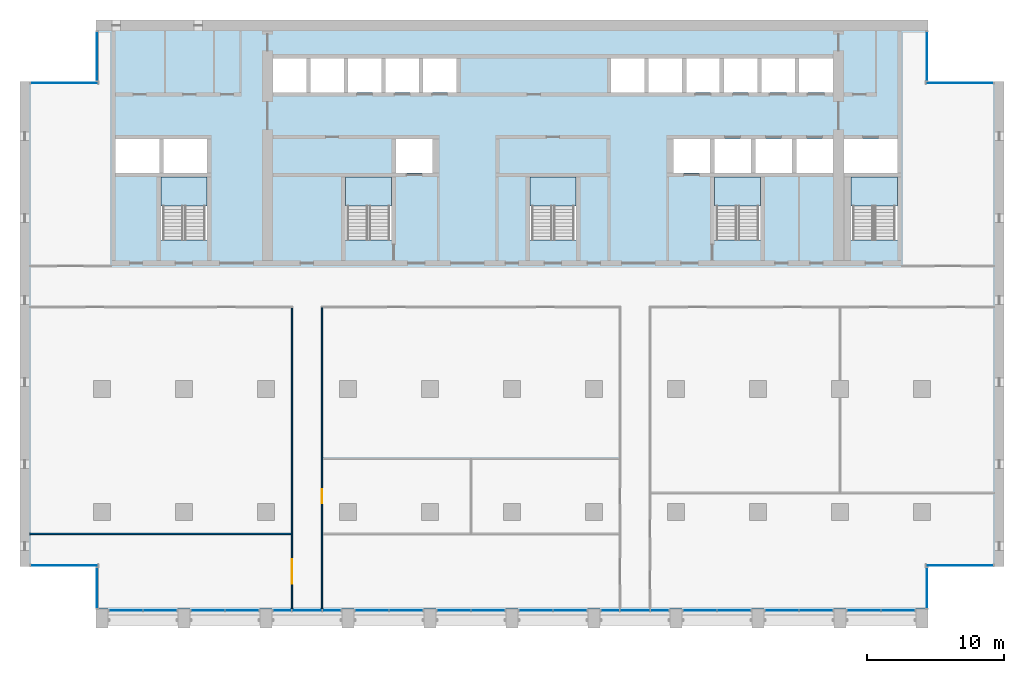
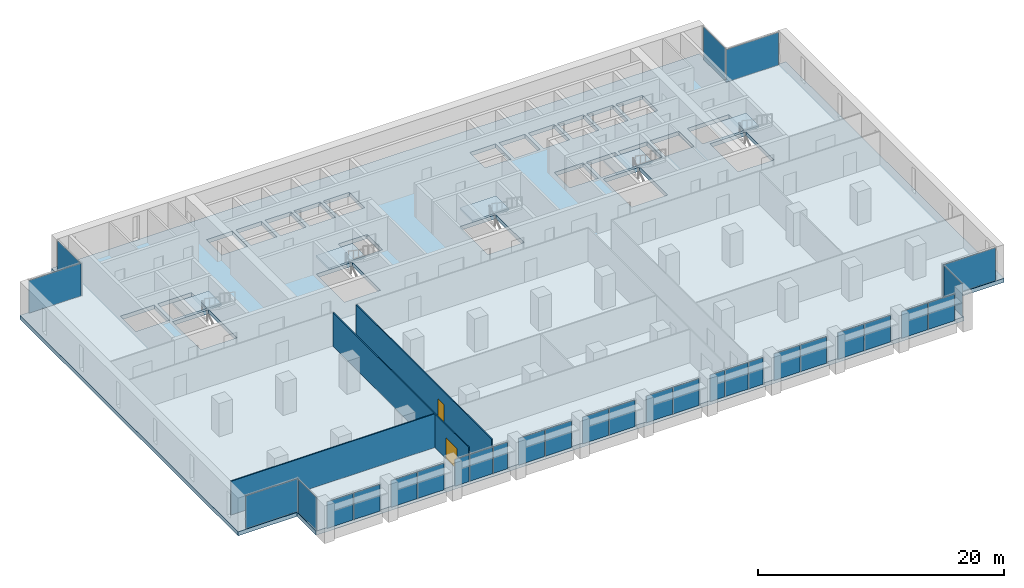
# One storey, part 7 of 15: 30 plates, 6 slabs, 3 walls, 2 doors, 2 openings, 23 elements without a shape of their own.
"""IFC4 building model written with IfcOpenShell, lengths in metres."""

from ifc_helpers import new_model, si_unit, direction, frame, frame_2d, origin, origin_2d, place, context, subcontext, project, spatial, polyline, rectangle, outline, extrude, material, layer, layer_set, type_object, element, fill, aggregate, save


model = new_model("IFC4")

# Units and contexts
model_context = context("Model", 3, precision=1e-05, world=origin(), true_north=direction((0.0, 1.0)))
body_context = subcontext(model_context, "Body", "Model", "MODEL_VIEW")
ifc_project = project(units=[si_unit("LENGTHUNIT", "METRE"), si_unit("AREAUNIT", "SQUARE_METRE"), si_unit("VOLUMEUNIT", "CUBIC_METRE"), si_unit("PLANEANGLEUNIT", "RADIAN"), si_unit("MASSUNIT", "GRAM", prefix="KILO")], contexts=[model_context])

# Site, building, storey
site_placement = place(None, origin())
site = spatial("IfcSite", under=ifc_project, at=site_placement, CompositionType="ELEMENT")
building_placement = place(site_placement, origin())
building = spatial("IfcBuilding", under=site, at=building_placement, Name="Calvaro Tower", CompositionType="ELEMENT")
storey_placement = place(building_placement, frame((0.0, 0.0, 143.75)))
storey = spatial("IfcBuildingStorey", under=building, at=storey_placement, Name="L36", CompositionType="ELEMENT", Elevation=143.75)

# Slab
ifc_material_1 = material(Name="Concrete C40/50", Category="concrete")
ifc_layer_1 = layer(ifc_material_1, 0.39990234375)
ifc_layer_set_1 = layer_set([ifc_layer_1], Name="Concrete C40/50")
slab_type_1 = type_object("IfcSlabType", Name="Floor slab 400 C40/50", PredefinedType="FLOOR", material=ifc_layer_set_1)
slab_1_placement = place(storey_placement, frame((0.0, 0.0, -0.39990234375)))
element("IfcSlab", 1, at=slab_1_placement, inside=storey, type_object=slab_type_1, Name="Floor slab", PredefinedType="FLOOR", context=body_context, shape_type="SweptSolid", body=[
    extrude(outline(polyline([(66.449951171875, 6.0), (66.449951171875, 2.89990234375), (5.550048828125, 2.89990234375), (5.550048828125, 6.0), (0.0, 6.0), (0.0, 41.5), (5.550048828125, 41.5), (5.550048828125, 46.0), (66.449951171875, 46.0), (66.449951171875, 41.5), (72.0, 41.5), (72.0, 6.0), (66.449951171875, 6.0)]), holes=[polyline([(10.300048828125, 29.909912109375), (10.300048828125, 34.5), (12.0, 34.5), (13.699951171875, 34.5), (13.699951171875, 29.909912109375), (12.0, 29.909912109375), (10.300048828125, 29.909912109375)]), polyline([(23.800048828125, 29.909912109375), (23.800048828125, 34.5), (25.5, 34.5), (27.199951171875, 34.5), (27.199951171875, 29.909912109375), (25.5, 29.909912109375), (23.800048828125, 29.909912109375)]), polyline([(37.300048828125, 29.909912109375), (37.300048828125, 34.5), (39.0, 34.5), (40.699951171875, 34.5), (40.699951171875, 29.909912109375), (39.0, 29.909912109375), (37.300048828125, 29.909912109375)]), polyline([(50.800048828125, 29.909912109375), (50.800048828125, 34.5), (52.5, 34.5), (54.199951171875, 34.5), (54.199951171875, 29.909912109375), (52.5, 29.909912109375), (50.800048828125, 29.909912109375)]), polyline([(60.800048828125, 29.909912109375), (60.800048828125, 34.5), (62.5, 34.5), (64.199951171875, 34.5), (64.199951171875, 29.909912109375), (62.5, 29.909912109375), (60.800048828125, 29.909912109375)]), polyline([(50.800048828125, 34.800048828125), (53.5, 34.800048828125), (53.5, 37.300048828125), (50.800048828125, 37.300048828125), (50.800048828125, 34.800048828125)]), polyline([(53.800048828125, 34.800048828125), (56.5, 34.800048828125), (56.5, 37.300048828125), (53.800048828125, 37.300048828125), (53.800048828125, 34.800048828125)]), polyline([(56.800048828125, 34.800048828125), (59.5, 34.800048828125), (59.5, 37.300048828125), (56.800048828125, 37.300048828125), (56.800048828125, 34.800048828125)]), polyline([(18.5, 40.699951171875), (20.949951171875, 40.699951171875), (20.949951171875, 43.199951171875), (18.5, 43.199951171875), (18.5, 40.699951171875)]), polyline([(21.25, 40.699951171875), (23.699951171875, 40.699951171875), (23.699951171875, 43.199951171875), (21.25, 43.199951171875), (21.25, 40.699951171875)]), polyline([(24.0, 40.699951171875), (26.449951171875, 40.699951171875), (26.449951171875, 43.199951171875), (24.0, 43.199951171875), (24.0, 40.699951171875)]), polyline([(26.75, 40.699951171875), (29.199951171875, 40.699951171875), (29.199951171875, 43.199951171875), (26.75, 43.199951171875), (26.75, 40.699951171875)]), polyline([(29.5, 40.699951171875), (31.949951171875, 40.699951171875), (31.949951171875, 43.199951171875), (29.5, 43.199951171875), (29.5, 40.699951171875)]), polyline([(43.25, 40.699951171875), (45.699951171875, 40.699951171875), (45.699951171875, 43.199951171875), (43.25, 43.199951171875), (43.25, 40.699951171875)]), polyline([(46.0, 40.699951171875), (48.449951171875, 40.699951171875), (48.449951171875, 43.199951171875), (46.0, 43.199951171875), (46.0, 40.699951171875)]), polyline([(48.75, 40.699951171875), (51.199951171875, 40.699951171875), (51.199951171875, 43.199951171875), (48.75, 43.199951171875), (48.75, 40.699951171875)]), polyline([(51.5, 40.699951171875), (53.949951171875, 40.699951171875), (53.949951171875, 43.199951171875), (51.5, 43.199951171875), (51.5, 40.699951171875)]), polyline([(54.25, 40.699951171875), (56.699951171875, 40.699951171875), (56.699951171875, 43.199951171875), (54.25, 43.199951171875), (54.25, 40.699951171875)]), polyline([(57.0, 40.699951171875), (59.5, 40.699951171875), (59.5, 43.199951171875), (57.0, 43.199951171875), (57.0, 40.699951171875)]), polyline([(7.0, 34.800048828125), (10.199951171875, 34.800048828125), (10.199951171875, 37.300048828125), (7.0, 37.300048828125), (7.0, 34.800048828125)]), polyline([(10.5, 34.800048828125), (13.699951171875, 34.800048828125), (13.699951171875, 37.300048828125), (10.5, 37.300048828125), (10.5, 34.800048828125)]), polyline([(60.300048828125, 34.800048828125), (64.199951171875, 34.800048828125), (64.199951171875, 37.300048828125), (60.300048828125, 37.300048828125), (60.300048828125, 34.800048828125)]), polyline([(27.5, 34.800048828125), (30.199951171875, 34.800048828125), (30.199951171875, 37.300048828125), (27.5, 37.300048828125), (27.5, 34.800048828125)]), polyline([(47.800048828125, 34.800048828125), (50.5, 34.800048828125), (50.5, 37.300048828125), (47.800048828125, 37.300048828125), (47.800048828125, 34.800048828125)])]), origin(), (0.0, 0.0, 1.0), 0.39990234375),
])

# Curtain wall, plates
ifc_material_2 = material(Name="Anodised aluminium", Category="aluminium")
curtain_wall_type = type_object("IfcCurtainWallType", Name="Office curtain wall, middle zone", PredefinedType="NOTDEFINED", material=ifc_material_2)
curtain_wall_1_placement = place(storey_placement, origin())
curtain_wall_1 = element("IfcCurtainWall", 2, at=curtain_wall_1_placement, inside=storey, type_object=curtain_wall_type, Name="CW2 south curtain wall", PredefinedType="NOTDEFINED")
ifc_material_3 = material(Name="Glass", Category="glass")
ifc_layer_2 = layer(ifc_material_3, 0.031982421875)
ifc_layer_set_2 = layer_set([ifc_layer_2], Name="Glass")
plate_type = type_object("IfcPlateType", Name="Glass panel S2 32", PredefinedType="CURTAIN_PANEL", material=ifc_layer_set_2)
plate_1_placement = place(storey_placement, frame((7.742431640625, 2.800048828125, 0.0), z_axis=(0.0, 0.0, 1.0), x_axis=(1.0, 0.0, 0.0)))
plate_1 = element("IfcPlate", 3, at=plate_1_placement, type_object=plate_type, Name="CW2 glass panel 1.1", PredefinedType="CURTAIN_PANEL", context=body_context, shape_type="SweptSolid", body=[
    extrude(rectangle(XDim=2.445068359375, YDim=0.031982421875, at=origin_2d()), origin(), (0.0, 0.0, 1.0), 2.64990234375),
])
plate_2_placement = place(storey_placement, frame((10.257568359375, 2.800048828125, 0.0), z_axis=(0.0, 0.0, 1.0), x_axis=(1.0, 0.0, 0.0)))
plate_2 = element("IfcPlate", 4, at=plate_2_placement, type_object=plate_type, Name="CW2 glass panel 2.1", PredefinedType="CURTAIN_PANEL", context=body_context, shape_type="SweptSolid", body=[
    extrude(rectangle(XDim=2.445068359375, YDim=0.031982421875, at=origin_2d()), origin(), (0.0, 0.0, 1.0), 2.64990234375),
])
aggregate(curtain_wall_1, [plate_1, plate_2])

curtain_wall_2_placement = place(storey_placement, origin())
curtain_wall_2 = element("IfcCurtainWall", 5, at=curtain_wall_2_placement, inside=storey, type_object=curtain_wall_type, Name="CW2 south curtain wall", PredefinedType="NOTDEFINED")
plate_3_placement = place(storey_placement, frame((13.742431640625, 2.800048828125, 0.0), z_axis=(0.0, 0.0, 1.0), x_axis=(1.0, 0.0, 0.0)))
plate_3 = element("IfcPlate", 6, at=plate_3_placement, type_object=plate_type, Name="CW2 glass panel 1.1", PredefinedType="CURTAIN_PANEL", context=body_context, shape_type="SweptSolid", body=[
    extrude(rectangle(XDim=2.445068359375, YDim=0.031982421875, at=origin_2d()), origin(), (0.0, 0.0, 1.0), 2.64990234375),
])
plate_4_placement = place(storey_placement, frame((16.257568359375, 2.800048828125, 0.0), z_axis=(0.0, 0.0, 1.0), x_axis=(1.0, 0.0, 0.0)))
plate_4 = element("IfcPlate", 7, at=plate_4_placement, type_object=plate_type, Name="CW2 glass panel 2.1", PredefinedType="CURTAIN_PANEL", context=body_context, shape_type="SweptSolid", body=[
    extrude(rectangle(XDim=2.445068359375, YDim=0.031982421875, at=origin_2d()), origin(), (0.0, 0.0, 1.0), 2.64990234375),
])
aggregate(curtain_wall_2, [plate_3, plate_4])

curtain_wall_3_placement = place(storey_placement, origin())
curtain_wall_3 = element("IfcCurtainWall", 8, at=curtain_wall_3_placement, inside=storey, type_object=curtain_wall_type, Name="CW2 south curtain wall", PredefinedType="NOTDEFINED")
plate_5_placement = place(storey_placement, frame((19.1923828125, 2.800048828125, 0.0), z_axis=(0.0, 0.0, 1.0), x_axis=(1.0, 0.0, 0.0)))
plate_5 = element("IfcPlate", 9, at=plate_5_placement, type_object=plate_type, Name="CW2 glass panel 1.1", PredefinedType="CURTAIN_PANEL", context=body_context, shape_type="SweptSolid", body=[
    extrude(rectangle(XDim=1.344970703125, YDim=0.031982421875, at=origin_2d()), origin(), (0.0, 0.0, 1.0), 2.64990234375),
])
plate_6_placement = place(storey_placement, frame((21.0, 2.800048828125, 0.0), z_axis=(0.0, 0.0, 1.0), x_axis=(1.0, 0.0, 0.0)))
plate_6 = element("IfcPlate", 10, at=plate_6_placement, type_object=plate_type, Name="CW2 glass panel 2.1", PredefinedType="CURTAIN_PANEL", context=body_context, shape_type="SweptSolid", body=[
    extrude(rectangle(XDim=2.1298828125, YDim=0.031982421875, at=origin_2d()), origin(), (0.0, 0.0, 1.0), 2.64990234375),
])
plate_7_placement = place(storey_placement, frame((22.8076171875, 2.800048828125, 0.0), z_axis=(0.0, 0.0, 1.0), x_axis=(1.0, 0.0, 0.0)))
plate_7 = element("IfcPlate", 11, at=plate_7_placement, type_object=plate_type, Name="CW2 glass panel 3.1", PredefinedType="CURTAIN_PANEL", context=body_context, shape_type="SweptSolid", body=[
    extrude(rectangle(XDim=1.344970703125, YDim=0.031982421875, at=origin_2d()), origin(), (0.0, 0.0, 1.0), 2.64990234375),
])
aggregate(curtain_wall_3, [plate_5, plate_6, plate_7])

curtain_wall_4_placement = place(storey_placement, origin())
curtain_wall_4 = element("IfcCurtainWall", 12, at=curtain_wall_4_placement, inside=storey, type_object=curtain_wall_type, Name="CW2 south curtain wall", PredefinedType="NOTDEFINED")
plate_8_placement = place(storey_placement, frame((25.742431640625, 2.800048828125, 0.0), z_axis=(0.0, 0.0, 1.0), x_axis=(1.0, 0.0, 0.0)))
plate_8 = element("IfcPlate", 13, at=plate_8_placement, type_object=plate_type, Name="CW2 glass panel 1.1", PredefinedType="CURTAIN_PANEL", context=body_context, shape_type="SweptSolid", body=[
    extrude(rectangle(XDim=2.445068359375, YDim=0.031982421875, at=origin_2d()), origin(), (0.0, 0.0, 1.0), 2.64990234375),
])
plate_9_placement = place(storey_placement, frame((28.257568359375, 2.800048828125, 0.0), z_axis=(0.0, 0.0, 1.0), x_axis=(1.0, 0.0, 0.0)))
plate_9 = element("IfcPlate", 14, at=plate_9_placement, type_object=plate_type, Name="CW2 glass panel 2.1", PredefinedType="CURTAIN_PANEL", context=body_context, shape_type="SweptSolid", body=[
    extrude(rectangle(XDim=2.445068359375, YDim=0.031982421875, at=origin_2d()), origin(), (0.0, 0.0, 1.0), 2.64990234375),
])
aggregate(curtain_wall_4, [plate_8, plate_9])

curtain_wall_5_placement = place(storey_placement, origin())
curtain_wall_5 = element("IfcCurtainWall", 15, at=curtain_wall_5_placement, inside=storey, type_object=curtain_wall_type, Name="CW2 south curtain wall", PredefinedType="NOTDEFINED")
plate_10_placement = place(storey_placement, frame((31.742431640625, 2.800048828125, 0.0), z_axis=(0.0, 0.0, 1.0), x_axis=(1.0, 0.0, 0.0)))
plate_10 = element("IfcPlate", 16, at=plate_10_placement, type_object=plate_type, Name="CW2 glass panel 1.1", PredefinedType="CURTAIN_PANEL", context=body_context, shape_type="SweptSolid", body=[
    extrude(rectangle(XDim=2.445068359375, YDim=0.031982421875, at=origin_2d()), origin(), (0.0, 0.0, 1.0), 2.64990234375),
])
plate_11_placement = place(storey_placement, frame((34.257568359375, 2.800048828125, 0.0), z_axis=(0.0, 0.0, 1.0), x_axis=(1.0, 0.0, 0.0)))
plate_11 = element("IfcPlate", 17, at=plate_11_placement, type_object=plate_type, Name="CW2 glass panel 2.1", PredefinedType="CURTAIN_PANEL", context=body_context, shape_type="SweptSolid", body=[
    extrude(rectangle(XDim=2.445068359375, YDim=0.031982421875, at=origin_2d()), origin(), (0.0, 0.0, 1.0), 2.64990234375),
])
aggregate(curtain_wall_5, [plate_10, plate_11])

curtain_wall_6_placement = place(storey_placement, origin())
curtain_wall_6 = element("IfcCurtainWall", 18, at=curtain_wall_6_placement, inside=storey, type_object=curtain_wall_type, Name="CW2 south curtain wall", PredefinedType="NOTDEFINED")
plate_12_placement = place(storey_placement, frame((37.742431640625, 2.800048828125, 0.0), z_axis=(0.0, 0.0, 1.0), x_axis=(1.0, 0.0, 0.0)))
plate_12 = element("IfcPlate", 19, at=plate_12_placement, type_object=plate_type, Name="CW2 glass panel 1.1", PredefinedType="CURTAIN_PANEL", context=body_context, shape_type="SweptSolid", body=[
    extrude(rectangle(XDim=2.445068359375, YDim=0.031982421875, at=origin_2d()), origin(), (0.0, 0.0, 1.0), 2.64990234375),
])
plate_13_placement = place(storey_placement, frame((40.257568359375, 2.800048828125, 0.0), z_axis=(0.0, 0.0, 1.0), x_axis=(1.0, 0.0, 0.0)))
plate_13 = element("IfcPlate", 20, at=plate_13_placement, type_object=plate_type, Name="CW2 glass panel 2.1", PredefinedType="CURTAIN_PANEL", context=body_context, shape_type="SweptSolid", body=[
    extrude(rectangle(XDim=2.445068359375, YDim=0.031982421875, at=origin_2d()), origin(), (0.0, 0.0, 1.0), 2.64990234375),
])
aggregate(curtain_wall_6, [plate_12, plate_13])

curtain_wall_7_placement = place(storey_placement, origin())
curtain_wall_7 = element("IfcCurtainWall", 21, at=curtain_wall_7_placement, inside=storey, type_object=curtain_wall_type, Name="CW2 south curtain wall", PredefinedType="NOTDEFINED")
plate_14_placement = place(storey_placement, frame((43.1923828125, 2.800048828125, 0.0), z_axis=(0.0, 0.0, 1.0), x_axis=(1.0, 0.0, 0.0)))
plate_14 = element("IfcPlate", 22, at=plate_14_placement, type_object=plate_type, Name="CW2 glass panel 1.1", PredefinedType="CURTAIN_PANEL", context=body_context, shape_type="SweptSolid", body=[
    extrude(rectangle(XDim=1.344970703125, YDim=0.031982421875, at=origin_2d()), origin(), (0.0, 0.0, 1.0), 2.64990234375),
])
plate_15_placement = place(storey_placement, frame((45.0, 2.800048828125, 0.0), z_axis=(0.0, 0.0, 1.0), x_axis=(1.0, 0.0, 0.0)))
plate_15 = element("IfcPlate", 23, at=plate_15_placement, type_object=plate_type, Name="CW2 glass panel 2.1", PredefinedType="CURTAIN_PANEL", context=body_context, shape_type="SweptSolid", body=[
    extrude(rectangle(XDim=2.1298828125, YDim=0.031982421875, at=origin_2d()), origin(), (0.0, 0.0, 1.0), 2.64990234375),
])
plate_16_placement = place(storey_placement, frame((46.8076171875, 2.800048828125, 0.0), z_axis=(0.0, 0.0, 1.0), x_axis=(1.0, 0.0, 0.0)))
plate_16 = element("IfcPlate", 24, at=plate_16_placement, type_object=plate_type, Name="CW2 glass panel 3.1", PredefinedType="CURTAIN_PANEL", context=body_context, shape_type="SweptSolid", body=[
    extrude(rectangle(XDim=1.344970703125, YDim=0.031982421875, at=origin_2d()), origin(), (0.0, 0.0, 1.0), 2.64990234375),
])
aggregate(curtain_wall_7, [plate_14, plate_15, plate_16])

curtain_wall_8_placement = place(storey_placement, origin())
curtain_wall_8 = element("IfcCurtainWall", 25, at=curtain_wall_8_placement, inside=storey, type_object=curtain_wall_type, Name="CW2 south curtain wall", PredefinedType="NOTDEFINED")
plate_17_placement = place(storey_placement, frame((49.742431640625, 2.800048828125, 0.0), z_axis=(0.0, 0.0, 1.0), x_axis=(1.0, 0.0, 0.0)))
plate_17 = element("IfcPlate", 26, at=plate_17_placement, type_object=plate_type, Name="CW2 glass panel 1.1", PredefinedType="CURTAIN_PANEL", context=body_context, shape_type="SweptSolid", body=[
    extrude(rectangle(XDim=2.445068359375, YDim=0.031982421875, at=origin_2d()), origin(), (0.0, 0.0, 1.0), 2.64990234375),
])
plate_18_placement = place(storey_placement, frame((52.257568359375, 2.800048828125, 0.0), z_axis=(0.0, 0.0, 1.0), x_axis=(1.0, 0.0, 0.0)))
plate_18 = element("IfcPlate", 27, at=plate_18_placement, type_object=plate_type, Name="CW2 glass panel 2.1", PredefinedType="CURTAIN_PANEL", context=body_context, shape_type="SweptSolid", body=[
    extrude(rectangle(XDim=2.445068359375, YDim=0.031982421875, at=origin_2d()), origin(), (0.0, 0.0, 1.0), 2.64990234375),
])
aggregate(curtain_wall_8, [plate_17, plate_18])

curtain_wall_9_placement = place(storey_placement, origin())
curtain_wall_9 = element("IfcCurtainWall", 28, at=curtain_wall_9_placement, inside=storey, type_object=curtain_wall_type, Name="CW2 south curtain wall", PredefinedType="NOTDEFINED")
plate_19_placement = place(storey_placement, frame((55.742431640625, 2.800048828125, 0.0), z_axis=(0.0, 0.0, 1.0), x_axis=(1.0, 0.0, 0.0)))
plate_19 = element("IfcPlate", 29, at=plate_19_placement, type_object=plate_type, Name="CW2 glass panel 1.1", PredefinedType="CURTAIN_PANEL", context=body_context, shape_type="SweptSolid", body=[
    extrude(rectangle(XDim=2.445068359375, YDim=0.031982421875, at=origin_2d()), origin(), (0.0, 0.0, 1.0), 2.64990234375),
])
plate_20_placement = place(storey_placement, frame((58.257568359375, 2.800048828125, 0.0), z_axis=(0.0, 0.0, 1.0), x_axis=(1.0, 0.0, 0.0)))
plate_20 = element("IfcPlate", 30, at=plate_20_placement, type_object=plate_type, Name="CW2 glass panel 2.1", PredefinedType="CURTAIN_PANEL", context=body_context, shape_type="SweptSolid", body=[
    extrude(rectangle(XDim=2.445068359375, YDim=0.031982421875, at=origin_2d()), origin(), (0.0, 0.0, 1.0), 2.64990234375),
])
aggregate(curtain_wall_9, [plate_19, plate_20])

curtain_wall_10_placement = place(storey_placement, origin())
curtain_wall_10 = element("IfcCurtainWall", 31, at=curtain_wall_10_placement, inside=storey, type_object=curtain_wall_type, Name="CW2 south curtain wall", PredefinedType="NOTDEFINED")
plate_21_placement = place(storey_placement, frame((61.742431640625, 2.800048828125, 0.0), z_axis=(0.0, 0.0, 1.0), x_axis=(1.0, 0.0, 0.0)))
plate_21 = element("IfcPlate", 32, at=plate_21_placement, type_object=plate_type, Name="CW2 glass panel 1.1", PredefinedType="CURTAIN_PANEL", context=body_context, shape_type="SweptSolid", body=[
    extrude(rectangle(XDim=2.445068359375, YDim=0.031982421875, at=origin_2d()), origin(), (0.0, 0.0, 1.0), 2.64990234375),
])
plate_22_placement = place(storey_placement, frame((64.257568359375, 2.800048828125, 0.0), z_axis=(0.0, 0.0, 1.0), x_axis=(1.0, 0.0, 0.0)))
plate_22 = element("IfcPlate", 33, at=plate_22_placement, type_object=plate_type, Name="CW2 glass panel 2.1", PredefinedType="CURTAIN_PANEL", context=body_context, shape_type="SweptSolid", body=[
    extrude(rectangle(XDim=2.445068359375, YDim=0.031982421875, at=origin_2d()), origin(), (0.0, 0.0, 1.0), 2.64990234375),
])
aggregate(curtain_wall_10, [plate_21, plate_22])

# Curtain wall, plate
curtain_wall_11_placement = place(storey_placement, origin())
curtain_wall_11 = element("IfcCurtainWall", 34, at=curtain_wall_11_placement, inside=storey, type_object=curtain_wall_type, Name="CW2 corner curtain wall", PredefinedType="NOTDEFINED")
plate_23_placement = place(storey_placement, frame((5.64990234375, 4.449951171875, 0.0), z_axis=(0.0, 0.0, 1.0), x_axis=(0.0, 1.0, 0.0)))
plate_23 = element("IfcPlate", 35, at=plate_23_placement, type_object=plate_type, Name="CW2 glass panel 1.1", PredefinedType="CURTAIN_PANEL", context=body_context, shape_type="SweptSolid", body=[
    extrude(rectangle(XDim=2.9599609375, YDim=0.031982421875, at=origin_2d()), origin(), (0.0, 0.0, 1.0), 3.25),
])
aggregate(curtain_wall_11, [plate_23])

curtain_wall_12_placement = place(storey_placement, origin())
curtain_wall_12 = element("IfcCurtainWall", 36, at=curtain_wall_12_placement, inside=storey, type_object=curtain_wall_type, Name="CW2 corner curtain wall", PredefinedType="NOTDEFINED")
plate_24_placement = place(storey_placement, frame((3.22509765625, 6.10009765625, 0.0), z_axis=(0.0, 0.0, 1.0), x_axis=(1.0, 0.0, 0.0)))
plate_24 = element("IfcPlate", 37, at=plate_24_placement, type_object=plate_type, Name="CW2 glass panel 1.1", PredefinedType="CURTAIN_PANEL", context=body_context, shape_type="SweptSolid", body=[
    extrude(rectangle(XDim=4.909912109375, YDim=0.031982421875, at=origin_2d()), origin(), (0.0, 0.0, 1.0), 3.25),
])
aggregate(curtain_wall_12, [plate_24])

curtain_wall_13_placement = place(storey_placement, origin())
curtain_wall_13 = element("IfcCurtainWall", 38, at=curtain_wall_13_placement, inside=storey, type_object=curtain_wall_type, Name="CW2 corner curtain wall", PredefinedType="NOTDEFINED")
plate_25_placement = place(storey_placement, frame((5.64990234375, 43.35009765625, 0.0), z_axis=(0.0, 0.0, 1.0), x_axis=(0.0, 1.0, 0.0)))
plate_25 = element("IfcPlate", 39, at=plate_25_placement, type_object=plate_type, Name="CW2 glass panel 1.1", PredefinedType="CURTAIN_PANEL", context=body_context, shape_type="SweptSolid", body=[
    extrude(rectangle(XDim=3.56005859375, YDim=0.031982421875, at=origin_2d()), origin(), (0.0, 0.0, 1.0), 3.25),
])
aggregate(curtain_wall_13, [plate_25])

curtain_wall_14_placement = place(storey_placement, origin())
curtain_wall_14 = element("IfcCurtainWall", 40, at=curtain_wall_14_placement, inside=storey, type_object=curtain_wall_type, Name="CW2 corner curtain wall", PredefinedType="NOTDEFINED")
plate_26_placement = place(storey_placement, frame((3.22509765625, 41.39990234375, 0.0), z_axis=(0.0, 0.0, 1.0), x_axis=(1.0, 0.0, 0.0)))
plate_26 = element("IfcPlate", 41, at=plate_26_placement, type_object=plate_type, Name="CW2 glass panel 1.1", PredefinedType="CURTAIN_PANEL", context=body_context, shape_type="SweptSolid", body=[
    extrude(rectangle(XDim=4.909912109375, YDim=0.031982421875, at=origin_2d()), origin(), (0.0, 0.0, 1.0), 3.25),
])
aggregate(curtain_wall_14, [plate_26])

curtain_wall_15_placement = place(storey_placement, origin())
curtain_wall_15 = element("IfcCurtainWall", 42, at=curtain_wall_15_placement, inside=storey, type_object=curtain_wall_type, Name="CW2 corner curtain wall", PredefinedType="NOTDEFINED")
plate_27_placement = place(storey_placement, frame((66.35009765625, 4.449951171875, 0.0), z_axis=(0.0, 0.0, 1.0), x_axis=(0.0, 1.0, 0.0)))
plate_27 = element("IfcPlate", 43, at=plate_27_placement, type_object=plate_type, Name="CW2 glass panel 1.1", PredefinedType="CURTAIN_PANEL", context=body_context, shape_type="SweptSolid", body=[
    extrude(rectangle(XDim=2.9599609375, YDim=0.031982421875, at=origin_2d()), origin(), (0.0, 0.0, 1.0), 3.25),
])
aggregate(curtain_wall_15, [plate_27])

curtain_wall_16_placement = place(storey_placement, origin())
curtain_wall_16 = element("IfcCurtainWall", 44, at=curtain_wall_16_placement, inside=storey, type_object=curtain_wall_type, Name="CW2 corner curtain wall", PredefinedType="NOTDEFINED")
plate_28_placement = place(storey_placement, frame((68.77490234375, 6.10009765625, 0.0), z_axis=(0.0, 0.0, 1.0), x_axis=(1.0, 0.0, 0.0)))
plate_28 = element("IfcPlate", 45, at=plate_28_placement, type_object=plate_type, Name="CW2 glass panel 1.1", PredefinedType="CURTAIN_PANEL", context=body_context, shape_type="SweptSolid", body=[
    extrude(rectangle(XDim=4.909912109375, YDim=0.031982421875, at=origin_2d()), origin(), (0.0, 0.0, 1.0), 3.25),
])
aggregate(curtain_wall_16, [plate_28])

curtain_wall_17_placement = place(storey_placement, origin())
curtain_wall_17 = element("IfcCurtainWall", 46, at=curtain_wall_17_placement, inside=storey, type_object=curtain_wall_type, Name="CW2 corner curtain wall", PredefinedType="NOTDEFINED")
plate_29_placement = place(storey_placement, frame((66.35009765625, 43.35009765625, 0.0), z_axis=(0.0, 0.0, 1.0), x_axis=(0.0, 1.0, 0.0)))
plate_29 = element("IfcPlate", 47, at=plate_29_placement, type_object=plate_type, Name="CW2 glass panel 1.1", PredefinedType="CURTAIN_PANEL", context=body_context, shape_type="SweptSolid", body=[
    extrude(rectangle(XDim=3.56005859375, YDim=0.031982421875, at=origin_2d()), origin(), (0.0, 0.0, 1.0), 3.25),
])
aggregate(curtain_wall_17, [plate_29])

curtain_wall_18_placement = place(storey_placement, origin())
curtain_wall_18 = element("IfcCurtainWall", 48, at=curtain_wall_18_placement, inside=storey, type_object=curtain_wall_type, Name="CW2 corner curtain wall", PredefinedType="NOTDEFINED")
plate_30_placement = place(storey_placement, frame((68.77490234375, 41.39990234375, 0.0), z_axis=(0.0, 0.0, 1.0), x_axis=(1.0, 0.0, 0.0)))
plate_30 = element("IfcPlate", 49, at=plate_30_placement, type_object=plate_type, Name="CW2 glass panel 1.1", PredefinedType="CURTAIN_PANEL", context=body_context, shape_type="SweptSolid", body=[
    extrude(rectangle(XDim=4.909912109375, YDim=0.031982421875, at=origin_2d()), origin(), (0.0, 0.0, 1.0), 3.25),
])
aggregate(curtain_wall_18, [plate_30])

# Stair, slab
ifc_material_4 = material(Name="Concrete C40/50", Category="concrete")
stair_type = type_object("IfcStairType", Name="Exit stair 1400 2 flights", PredefinedType="HALF_TURN_STAIR", material=ifc_material_4)
stair_1_placement = place(storey_placement, origin())
stair_1 = element("IfcStair", 50, at=stair_1_placement, inside=storey, type_object=stair_type, Name="Exit stair S1", PredefinedType="HALF_TURN_STAIR")
ifc_material_5 = material(Name="Concrete C40/50", Category="concrete")
ifc_layer_3 = layer(ifc_material_5, 0.199951171875)
ifc_layer_set_3 = layer_set([ifc_layer_3], Name="Concrete C40/50")
slab_type_2 = type_object("IfcSlabType", Name="Stair landing", PredefinedType="LANDING", material=ifc_layer_set_3)
slab_2_placement = place(storey_placement, frame((0.0, 0.0, 1.675048828125)))
slab_2 = element("IfcSlab", 51, at=slab_2_placement, type_object=slab_type_2, Name="Exit stair 1, landing 1", PredefinedType="LANDING", context=body_context, shape_type="SweptSolid", body=[
    extrude(outline(polyline([(11.89990234375, 32.389892578125), (10.5, 32.389892578125), (10.5, 32.39990234375), (10.300048828125, 32.39990234375), (10.300048828125, 34.5), (10.5, 34.5), (11.89990234375, 34.5), (12.10009765625, 34.5), (13.5, 34.5), (13.699951171875, 34.5), (13.699951171875, 32.39990234375), (13.5, 32.39990234375), (13.5, 32.389892578125), (12.10009765625, 32.389892578125), (12.10009765625, 32.39990234375), (11.89990234375, 32.39990234375), (11.89990234375, 32.389892578125)])), origin(), (0.0, 0.0, 1.0), 0.199951171875),
])
aggregate(stair_1, [slab_2])

stair_2_placement = place(storey_placement, origin())
stair_2 = element("IfcStair", 52, at=stair_2_placement, inside=storey, type_object=stair_type, Name="Exit stair S2", PredefinedType="HALF_TURN_STAIR")
slab_3_placement = place(storey_placement, frame((0.0, 0.0, 1.675048828125)))
slab_3 = element("IfcSlab", 53, at=slab_3_placement, type_object=slab_type_2, Name="Exit stair 2, landing 1", PredefinedType="LANDING", context=body_context, shape_type="SweptSolid", body=[
    extrude(outline(polyline([(25.39990234375, 32.389892578125), (24.0, 32.389892578125), (24.0, 32.39990234375), (23.800048828125, 32.39990234375), (23.800048828125, 34.5), (24.0, 34.5), (25.39990234375, 34.5), (25.60009765625, 34.5), (27.0, 34.5), (27.199951171875, 34.5), (27.199951171875, 32.39990234375), (27.0, 32.39990234375), (27.0, 32.389892578125), (25.60009765625, 32.389892578125), (25.60009765625, 32.39990234375), (25.39990234375, 32.39990234375), (25.39990234375, 32.389892578125)])), origin(), (0.0, 0.0, 1.0), 0.199951171875),
])
aggregate(stair_2, [slab_3])

stair_3_placement = place(storey_placement, origin())
stair_3 = element("IfcStair", 54, at=stair_3_placement, inside=storey, type_object=stair_type, Name="Exit stair S3", PredefinedType="HALF_TURN_STAIR")
slab_4_placement = place(storey_placement, frame((0.0, 0.0, 1.675048828125)))
slab_4 = element("IfcSlab", 55, at=slab_4_placement, type_object=slab_type_2, Name="Exit stair 3, landing 1", PredefinedType="LANDING", context=body_context, shape_type="SweptSolid", body=[
    extrude(outline(polyline([(38.89990234375, 32.389892578125), (37.5, 32.389892578125), (37.5, 32.39990234375), (37.300048828125, 32.39990234375), (37.300048828125, 34.5), (37.5, 34.5), (38.89990234375, 34.5), (39.10009765625, 34.5), (40.5, 34.5), (40.699951171875, 34.5), (40.699951171875, 32.39990234375), (40.5, 32.39990234375), (40.5, 32.389892578125), (39.10009765625, 32.389892578125), (39.10009765625, 32.39990234375), (38.89990234375, 32.39990234375), (38.89990234375, 32.389892578125)])), origin(), (0.0, 0.0, 1.0), 0.199951171875),
])
aggregate(stair_3, [slab_4])

stair_4_placement = place(storey_placement, origin())
stair_4 = element("IfcStair", 56, at=stair_4_placement, inside=storey, type_object=stair_type, Name="Exit stair S4", PredefinedType="HALF_TURN_STAIR")
slab_5_placement = place(storey_placement, frame((0.0, 0.0, 1.675048828125)))
slab_5 = element("IfcSlab", 57, at=slab_5_placement, type_object=slab_type_2, Name="Exit stair 4, landing 1", PredefinedType="LANDING", context=body_context, shape_type="SweptSolid", body=[
    extrude(outline(polyline([(52.39990234375, 32.389892578125), (51.0, 32.389892578125), (51.0, 32.39990234375), (50.800048828125, 32.39990234375), (50.800048828125, 34.5), (51.0, 34.5), (52.39990234375, 34.5), (52.60009765625, 34.5), (54.0, 34.5), (54.199951171875, 34.5), (54.199951171875, 32.39990234375), (54.0, 32.39990234375), (54.0, 32.389892578125), (52.60009765625, 32.389892578125), (52.60009765625, 32.39990234375), (52.39990234375, 32.39990234375), (52.39990234375, 32.389892578125)])), origin(), (0.0, 0.0, 1.0), 0.199951171875),
])
aggregate(stair_4, [slab_5])

stair_5_placement = place(storey_placement, origin())
stair_5 = element("IfcStair", 58, at=stair_5_placement, inside=storey, type_object=stair_type, Name="Exit stair S5", PredefinedType="HALF_TURN_STAIR")
slab_6_placement = place(storey_placement, frame((0.0, 0.0, 1.675048828125)))
slab_6 = element("IfcSlab", 59, at=slab_6_placement, type_object=slab_type_2, Name="Exit stair 5, landing 1", PredefinedType="LANDING", context=body_context, shape_type="SweptSolid", body=[
    extrude(outline(polyline([(62.39990234375, 32.389892578125), (61.0, 32.389892578125), (61.0, 32.39990234375), (60.800048828125, 32.39990234375), (60.800048828125, 34.5), (61.0, 34.5), (62.39990234375, 34.5), (62.60009765625, 34.5), (64.0, 34.5), (64.199951171875, 34.5), (64.199951171875, 32.39990234375), (64.0, 32.39990234375), (64.0, 32.389892578125), (62.60009765625, 32.389892578125), (62.60009765625, 32.39990234375), (62.39990234375, 32.39990234375), (62.39990234375, 32.389892578125)])), origin(), (0.0, 0.0, 1.0), 0.199951171875),
])
aggregate(stair_5, [slab_6])

# Wall
ifc_material_6 = material(Name="Plasterboard on steel studs", Category="steel")
ifc_layer_4 = layer(ifc_material_6, 0.10009765625)
ifc_layer_set_4 = layer_set([ifc_layer_4], Name="Plasterboard on steel studs")
wall_type = type_object("IfcWallType", Name="Partition 100", PredefinedType="PARTITIONING", material=ifc_layer_set_4)
wall_1_placement = place(storey_placement, frame((0.699951171875, 8.39990234375, 0.0), z_axis=(0.0, 0.0, 1.0), x_axis=(1.0, 0.0, 0.0)))
element("IfcWall", 60, at=wall_1_placement, inside=storey, type_object=wall_type, Name="Partition T22.W001", PredefinedType="PARTITIONING", context=body_context, shape_type="SweptSolid", body=[
    extrude(rectangle(XDim=19.150146484375, YDim=0.10009765625, at=frame_2d((9.5751953125, 0.0))), origin(), (0.0, 0.0, 1.0), 3.35009765625),
])

# Wall, opening, door
wall_2_placement = place(storey_placement, frame((19.89990234375, 2.89990234375, 0.0), z_axis=(0.0, 0.0, 1.0), x_axis=(0.0, 1.0, 0.0)))
wall_2 = element("IfcWall", 61, at=wall_2_placement, inside=storey, type_object=wall_type, Name="Partition T22.W010", PredefinedType="PARTITIONING", context=body_context, shape_type="SweptSolid", body=[
    extrude(rectangle(XDim=22.050048828125, YDim=0.10009765625, at=frame_2d((11.02490234375, 0.0))), origin(), (0.0, 0.0, 1.0), 3.35009765625),
])
opening_1_placement = place(wall_2_placement, frame((1.85009765625, 0.0, 0.0)))
opening_1 = element("IfcOpeningElement", 62, at=opening_1_placement, cuts=wall_2, Name="Opening T22.002", PredefinedType="OPENING", context=body_context, shape_type="SweptSolid", body=[
    extrude(rectangle(XDim=1.800048828125, YDim=2.10009765625, at=frame_2d((0.89990234375, 1.050048828125))), frame((0.0, 0.06005859375, 0.0), z_axis=(0.0, -1.0, 0.0), x_axis=(1.0, 0.0, 0.0)), (0.0, 0.0, 1.0), 0.1201171875),
])
ifc_material_7 = material(Name="Timber", Category="wood")
door_type_1 = type_object("IfcDoorType", Name="Internal double door 1800 x 2100", OperationType="DOUBLE_DOOR_SINGLE_SWING", PredefinedType="DOOR", material=ifc_material_7)
door_1_placement = place(opening_1_placement, origin())
door_1 = element("IfcDoor", 63, at=door_1_placement, inside=storey, type_object=door_type_1, Name="Door T22.002", OperationType="DOUBLE_DOOR_SINGLE_SWING", OverallHeight=2.10009765625, OverallWidth=1.800048828125, PredefinedType="DOOR", context=body_context, shape_type="SweptSolid", body=[
    extrude(rectangle(XDim=1.800048828125, YDim=2.10009765625, at=frame_2d((0.89990234375, 1.050048828125))), frame((0.0, 0.02490234375, 0.0), z_axis=(0.0, -1.0, 0.0), x_axis=(1.0, 0.0, 0.0)), (0.0, 0.0, 1.0), 0.050048828125),
])
fill(opening_1, door_1)

wall_3_placement = place(storey_placement, frame((22.10009765625, 2.89990234375, 0.0), z_axis=(0.0, 0.0, 1.0), x_axis=(0.0, 1.0, 0.0)))
wall_3 = element("IfcWall", 64, at=wall_3_placement, inside=storey, type_object=wall_type, Name="Partition T22.W011", PredefinedType="PARTITIONING", context=body_context, shape_type="SweptSolid", body=[
    extrude(rectangle(XDim=22.050048828125, YDim=0.10009765625, at=frame_2d((11.02490234375, 0.0))), origin(), (0.0, 0.0, 1.0), 3.35009765625),
])
opening_2_placement = place(wall_3_placement, frame((7.75, 0.0, 0.0)))
opening_2 = element("IfcOpeningElement", 65, at=opening_2_placement, cuts=wall_3, Name="Opening T22.005", PredefinedType="OPENING", context=body_context, shape_type="SweptSolid", body=[
    extrude(rectangle(XDim=1.0, YDim=2.10009765625, at=frame_2d((0.5, 1.050048828125))), frame((0.0, 0.06005859375, 0.0), z_axis=(0.0, -1.0, 0.0), x_axis=(1.0, 0.0, 0.0)), (0.0, 0.0, 1.0), 0.1201171875),
])
ifc_material_8 = material(Name="Timber", Category="wood")
door_type_2 = type_object("IfcDoorType", Name="Internal single door 1000 x 2100", OperationType="SINGLE_SWING_LEFT", PredefinedType="DOOR", material=ifc_material_8)
door_2_placement = place(opening_2_placement, origin())
door_2 = element("IfcDoor", 66, at=door_2_placement, inside=storey, type_object=door_type_2, Name="Door T22.005", OperationType="SINGLE_SWING_LEFT", OverallHeight=2.10009765625, OverallWidth=1.0, PredefinedType="DOOR", context=body_context, shape_type="SweptSolid", body=[
    extrude(rectangle(XDim=1.0, YDim=2.10009765625, at=frame_2d((0.5, 1.050048828125))), frame((0.0, 0.02490234375, 0.0), z_axis=(0.0, -1.0, 0.0), x_axis=(1.0, 0.0, 0.0)), (0.0, 0.0, 1.0), 0.050048828125),
])
fill(opening_2, door_2)

save(model, "model.ifc")
